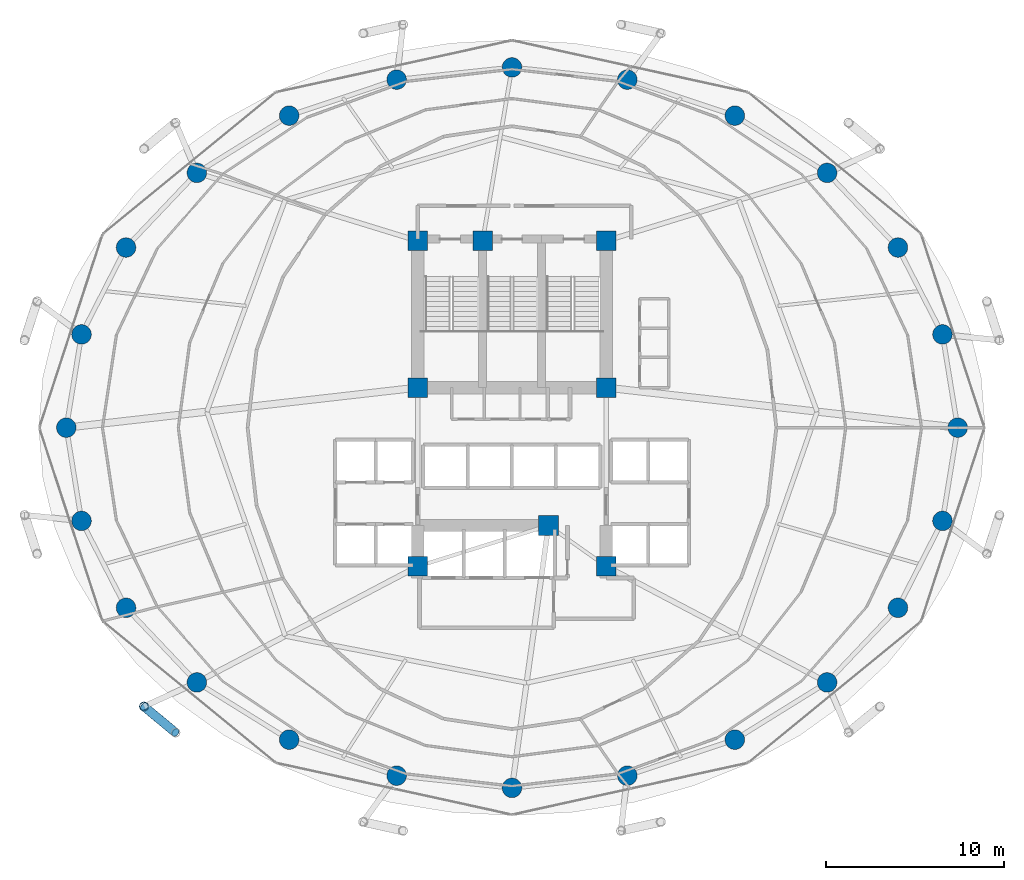
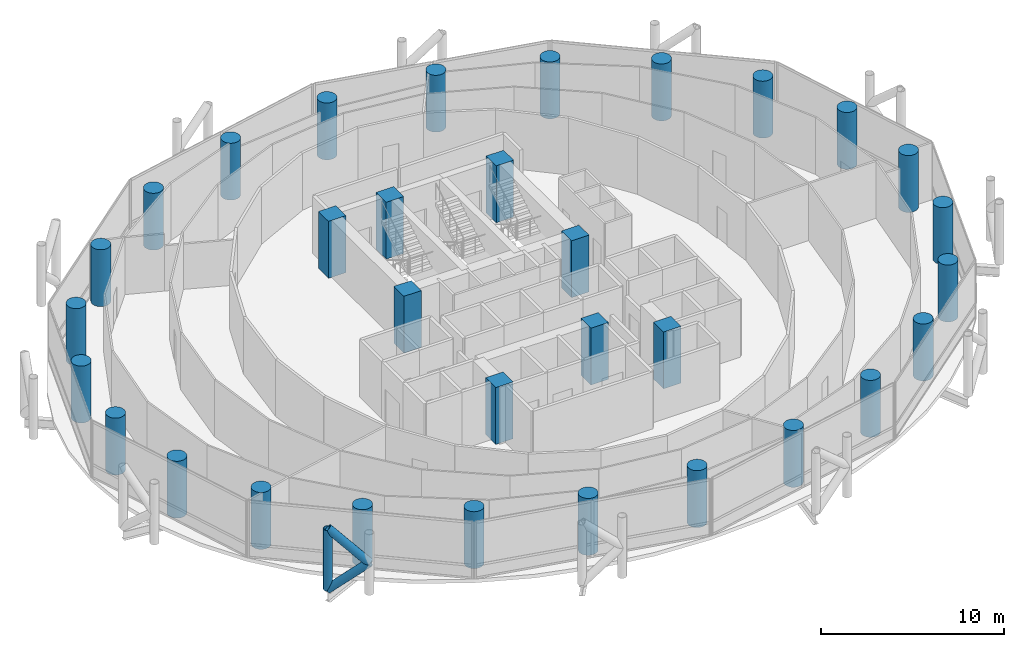
# One storey, part 1 of 26: 32 columns, 3 members.
"""IFC4 building model written with IfcOpenShell, lengths in metres."""

import ifcopenshell
import ifcopenshell.guid

model = None  # the IFC model being written
_history = None  # IfcOwnerHistory: only IFC2X3 demands one
_inside = {}  # id of a spatial element -> (the spatial element, [elements in it])
_under = {}  # id of a project, library or spatial element -> (it, [spatial elements below it])
_declared = {}  # id of a project -> (the project, [libraries it declares])
_typed = {}  # id of a type object -> (the type object, [elements of that type])
_made_of = {}  # id of a material, layer set ... -> (it, [elements and type objects made of it])


def new_model(schema):
    """Start an empty IFC model of exactly this schema.

    Asked for "IFC4X3", IfcOpenShell would pick the latest addendum, in which some entities
    have other attributes; the version numbers below select the first issue.
    IFC2X3 requires an IfcOwnerHistory on every rooted entity: one is made here for all.
    """
    global model, _history
    if schema == "IFC4X3":
        model = ifcopenshell.file(schema_version=(4, 3, 0, 0))
    else:
        model = ifcopenshell.file(schema=schema)
    _inside.clear()
    _under.clear()
    _declared.clear()
    _typed.clear()
    _made_of.clear()
    _history = None
    if model.schema == "IFC2X3":
        org = make("IfcOrganization", Name="unknown")
        user = make(
            "IfcPersonAndOrganization",
            ThePerson=make("IfcPerson", FamilyName="unknown"),
            TheOrganization=org,
        )
        app = make(
            "IfcApplication",
            ApplicationDeveloper=org,
            Version="unknown",
            ApplicationFullName="unknown",
            ApplicationIdentifier="unknown",
        )
        _history = make(
            "IfcOwnerHistory",
            OwningUser=user,
            OwningApplication=app,
            ChangeAction="ADDED",
            CreationDate=0,
        )
    return model


def make(cls, **values):
    """One entity of the class cls with the attributes given. An attribute that is None is left unset."""
    return model.create_entity(
        cls, **{name: value for name, value in values.items() if value is not None}
    )


def rooted(cls, **values):
    """An entity with a GlobalId (a new one), such as an element, a storey or a relation."""
    return make(cls, GlobalId=ifcopenshell.guid.new(), OwnerHistory=_history, **values)


def si_unit(unit_type, name, prefix=None):
    """IfcSIUnit, for example si_unit("LENGTHUNIT", "METRE", prefix="MILLI")."""
    return make("IfcSIUnit", UnitType=unit_type, Prefix=prefix, Name=name)


def assignment(units):
    """IfcUnitAssignment: the units of a project."""
    return None if units is None else make("IfcUnitAssignment", Units=units)


def point(xyz):
    """IfcCartesianPoint."""
    return None if xyz is None else make("IfcCartesianPoint", Coordinates=xyz)


def direction(xyz):
    """IfcDirection."""
    return None if xyz is None else make("IfcDirection", DirectionRatios=xyz)


def frame(location, z_axis=None, x_axis=None):
    """IfcAxis2Placement3D, a coordinate frame: its origin and axes. An axis left out is left unset."""
    return make(
        "IfcAxis2Placement3D",
        Location=point(location),
        Axis=direction(z_axis),
        RefDirection=direction(x_axis),
    )


def frame_2d(location, x_axis=None):
    """IfcAxis2Placement2D, a coordinate frame in the plane: its origin and x axis."""
    return make(
        "IfcAxis2Placement2D", Location=point(location), RefDirection=direction(x_axis)
    )


def origin():
    """The frame at (0, 0, 0) with its axes left unset."""
    return frame((0.0, 0.0, 0.0))


def origin_2d():
    """The frame at (0, 0) in the plane with its x axis left unset."""
    return frame_2d((0.0, 0.0))


def place(relative_to, where):
    """IfcLocalPlacement: puts the frame where relative to a parent placement (None: the world)."""
    return make(
        "IfcLocalPlacement", PlacementRelTo=relative_to, RelativePlacement=where
    )


def context(
    kind, dimensions, precision=None, world=None, true_north=None, identifier=None
):
    """IfcGeometricRepresentationContext, for example the 3D "Model" context."""
    return make(
        "IfcGeometricRepresentationContext",
        ContextIdentifier=identifier,
        ContextType=kind,
        CoordinateSpaceDimension=dimensions,
        Precision=precision,
        WorldCoordinateSystem=world,
        TrueNorth=true_north,
    )


def subcontext(parent, identifier, kind, view, scale=None):
    """IfcGeometricRepresentationSubContext, for example "Body" below "Model"."""
    return make(
        "IfcGeometricRepresentationSubContext",
        ContextIdentifier=identifier,
        ContextType=kind,
        ParentContext=parent,
        TargetScale=scale,
        TargetView=view,
    )


def project(units=None, contexts=None):
    """IfcProject with its units and contexts."""
    return rooted(
        "IfcProject",
        Name="project",
        RepresentationContexts=contexts,
        UnitsInContext=assignment(units),
    )


def spatial(cls, under=None, at=None, **own):
    """A site, building, storey or space (cls), placed at a placement, below another one or the project."""
    s = rooted(cls, ObjectPlacement=at, **own)
    if under is not None:
        _under.setdefault(under.id(), (under, []))[1].append(s)
    return s


def profile(cls, at=None, kind="AREA", **sizes):
    """A parametric profile (cls). Its sizes go by their IFC names, for example OverallWidth=200.0."""
    return make(cls, ProfileType=kind, Position=at, **sizes)


def rectangle(**sizes):
    """IfcRectangleProfileDef."""
    return profile("IfcRectangleProfileDef", **sizes)


def circle(**sizes):
    """IfcCircleProfileDef."""
    return profile("IfcCircleProfileDef", **sizes)


def hollow_circle(**sizes):
    """IfcCircleHollowProfileDef."""
    return profile("IfcCircleHollowProfileDef", **sizes)


def extrude(swept, where, along, depth):
    """IfcExtrudedAreaSolid: the profile swept, set in the frame where, extruded along a direction by depth."""
    return make(
        "IfcExtrudedAreaSolid",
        SweptArea=swept,
        Position=where,
        ExtrudedDirection=direction(along),
        Depth=depth,
    )


def shape(context_of_items, identifier, shape_type, items):
    """IfcShapeRepresentation: the items that make up one representation, for example the "Body"."""
    return make(
        "IfcShapeRepresentation",
        ContextOfItems=context_of_items,
        RepresentationIdentifier=identifier,
        RepresentationType=shape_type,
        Items=items,
    )


def material(Name=None, Category=None):
    """IfcMaterial."""
    return make("IfcMaterial", Name=Name, Category=Category)


def material_profile(
    of_material, cross_section, Name=None, Category=None, Priority=None
):
    """IfcMaterialProfile: a cross section and its material."""
    return make(
        "IfcMaterialProfile",
        Name=Name,
        Material=of_material,
        Profile=cross_section,
        Priority=Priority,
        Category=Category,
    )


def profile_set(profiles, Name=None, composite=None):
    """IfcMaterialProfileSet."""
    return make(
        "IfcMaterialProfileSet",
        Name=Name,
        MaterialProfiles=profiles,
        CompositeProfile=composite,
    )


def made_of(thing, what):
    """Note that an element or type object is made of a material, layer set ...; save() writes the relation."""
    if what is not None:
        _made_of.setdefault(what.id(), (what, []))[1].append(thing)
    return thing


def type_object(cls, material=None, **own):
    """A type object (cls), such as IfcWallType, which elements share."""
    return made_of(rooted(cls, **own), material)


def element(
    cls,
    number,
    at=None,
    inside=None,
    cuts=None,
    type_object=None,
    material=None,
    context=None,
    identifier="Body",
    shape_type=None,
    held_by="IfcProductDefinitionShape",
    body=None,
    shapes=None,
    **own,
):
    """One element of the class cls, such as IfcWall. Its Tag is "e" and its number.

    at: its placement. inside: the storey or other place that contains it. cuts: it is an
    opening in that element (IfcRelVoidsElement). A single representation is given by context,
    identifier, shape_type and body (its items); several are given by shapes. held_by: the class
    of the entity that holds the representations. save() writes the other relations.
    """
    e = rooted(cls, Tag="e%d" % number, ObjectPlacement=at, **own)
    if body is not None:
        shapes = [shape(context, identifier, shape_type, body)]
    if shapes is not None:
        e.Representation = make(held_by, Representations=shapes)
    if inside is not None:
        _inside.setdefault(inside.id(), (inside, []))[1].append(e)
    if cuts is not None:
        rooted(
            "IfcRelVoidsElement", RelatingBuildingElement=cuts, RelatedOpeningElement=e
        )
    if type_object is not None:
        _typed.setdefault(type_object.id(), (type_object, []))[1].append(e)
    return made_of(e, material)


def aggregate(whole, parts):
    """IfcRelAggregates: a whole, such as a stair, and the parts it consists of."""
    return rooted("IfcRelAggregates", RelatingObject=whole, RelatedObjects=parts)


def save(model, path):
    """Write the relations noted so far, then the file.

    IfcRelAggregates (storeys below a building ...), IfcRelContainedInSpatialStructure (elements
    in a storey), IfcRelDefinesByType, IfcRelAssociatesMaterial and IfcRelDeclares: one each for
    every whole, place, type object, material and project.
    """
    for whole, parts in _under.values():
        aggregate(whole, parts)
    for where, things in _inside.values():
        rooted(
            "IfcRelContainedInSpatialStructure",
            RelatedElements=things,
            RelatingStructure=where,
        )
    for kind, things in _typed.values():
        rooted("IfcRelDefinesByType", RelatedObjects=things, RelatingType=kind)
    for what, things in _made_of.values():
        rooted("IfcRelAssociatesMaterial", RelatedObjects=things, RelatingMaterial=what)
    for by, libraries in _declared.values():
        rooted("IfcRelDeclares", RelatingContext=by, RelatedDefinitions=libraries)
    model.write(path)


model = new_model("IFC4")

# Units and contexts
model_context = context("Model", 3, precision=1e-05, world=origin(), true_north=direction((0.0, 1.0)))
body_context = subcontext(model_context, "Body", "Model", "MODEL_VIEW")
ifc_project = project(units=[si_unit("LENGTHUNIT", "METRE"), si_unit("AREAUNIT", "SQUARE_METRE"), si_unit("VOLUMEUNIT", "CUBIC_METRE"), si_unit("PLANEANGLEUNIT", "RADIAN"), si_unit("MASSUNIT", "GRAM", prefix="KILO")], contexts=[model_context])

# Site, building, storey
site_placement = place(None, origin())
site = spatial("IfcSite", under=ifc_project, at=site_placement, CompositionType="ELEMENT")
building_placement = place(site_placement, origin())
building = spatial("IfcBuilding", under=site, at=building_placement, Name="Nuhasar Tower", CompositionType="ELEMENT")
storey_placement = place(building_placement, frame((0.0, 0.0, 93.89990234375)))
storey = spatial("IfcBuildingStorey", under=building, at=storey_placement, Name="L22", CompositionType="ELEMENT", Elevation=93.89990234375)

# Columns
ifc_material_1 = material(Name="Concrete C80/95", Category="concrete")
ifc_material_profile_1 = material_profile(ifc_material_1, circle(Radius=0.550048828125, at=origin_2d()), Name="CFT1100")
ifc_profile_set_1 = profile_set([ifc_material_profile_1], Name="Concrete C80/95")
column_type_1 = type_object("IfcColumnType", Name="COL-CFT-1100", PredefinedType="COLUMN", material=ifc_profile_set_1)
for number, where, z_axis, x_axis, name in (
    (1, (64.050048828125, 26.800048828125, 0.0), (0.0, 0.0, 1.0), (1.0, 0.0, 0.0), "L22 Perimeter Composite Column TC-01"),
    (2, (63.196044921875, 32.041015625, 0.0), (0.0, 0.0, 1.0), (1.0, 0.0, 0.0), "L22 Perimeter Composite Column TC-02"),
    (3, (60.694091796875, 36.925048828125, 0.0), (0.0, 0.0, 1.0), (1.0, 0.0, 0.0), "L22 Perimeter Composite Column TC-03"),
    (4, (56.712890625, 41.118896484375, 0.0), (0.0, 0.0, 1.0), (1.0, 0.0, 0.0), "L22 Perimeter Composite Column TC-04"),
    (5, (51.52490234375, 44.3369140625, 0.0), (0.0, 0.0, 1.0), (1.0, 0.0, 0.0), "L22 Perimeter Composite Column TC-05"),
    (6, (45.48291015625, 46.360107421875, 0.0), (0.0, 0.0, 1.0), (1.0, 0.0, 0.0), "L22 Perimeter Composite Column TC-06"),
    (7, (39.0, 47.050048828125, 0.0), (0.0, 0.0, 1.0), (1.0, 0.0, 0.0), "L22 Perimeter Composite Column TC-07"),
    (8, (32.51708984375, 46.360107421875, 0.0), (0.0, 0.0, 1.0), (1.0, 0.0, 0.0), "L22 Perimeter Composite Column TC-08"),
    (9, (26.47509765625, 44.3369140625, 0.0), (0.0, 0.0, 1.0), (1.0, 0.0, 0.0), "L22 Perimeter Composite Column TC-09"),
    (10, (21.287109375, 41.118896484375, 0.0), (0.0, 0.0, 1.0), (1.0, 0.0, 0.0), "L22 Perimeter Composite Column TC-10"),
    (11, (17.305908203125, 36.925048828125, 0.0), (0.0, 0.0, 1.0), (1.0, 0.0, 0.0), "L22 Perimeter Composite Column TC-11"),
    (12, (14.803955078125, 32.041015625, 0.0), (0.0, 0.0, 1.0), (1.0, 0.0, 0.0), "L22 Perimeter Composite Column TC-12"),
    (13, (13.949951171875, 26.800048828125, 0.0), (0.0, 0.0, 1.0), (1.0, 0.0, 0.0), "L22 Perimeter Composite Column TC-13"),
    (14, (14.803955078125, 21.55908203125, 0.0), (0.0, 0.0, 1.0), (1.0, 0.0, 0.0), "L22 Perimeter Composite Column TC-14"),
    (15, (17.305908203125, 16.675048828125, 0.0), (0.0, 0.0, 1.0), (1.0, 0.0, 0.0), "L22 Perimeter Composite Column TC-15"),
    (16, (21.287109375, 12.48095703125, 0.0), (0.0, 0.0, 1.0), (1.0, 0.0, 0.0), "L22 Perimeter Composite Column TC-16"),
    (17, (26.47509765625, 9.262939453125, 0.0), (0.0, 0.0, 1.0), (1.0, 0.0, 0.0), "L22 Perimeter Composite Column TC-17"),
    (18, (32.51708984375, 7.239990234375, 0.0), (0.0, 0.0, 1.0), (1.0, 0.0, 0.0), "L22 Perimeter Composite Column TC-18"),
    (19, (39.0, 6.550048828125, 0.0), (0.0, 0.0, 1.0), (1.0, 0.0, 0.0), "L22 Perimeter Composite Column TC-19"),
    (20, (45.48291015625, 7.239990234375, 0.0), (0.0, 0.0, 1.0), (1.0, 0.0, 0.0), "L22 Perimeter Composite Column TC-20"),
    (21, (51.52490234375, 9.262939453125, 0.0), (0.0, 0.0, 1.0), (1.0, 0.0, 0.0), "L22 Perimeter Composite Column TC-21"),
    (22, (56.712890625, 12.48095703125, 0.0), (0.0, 0.0, 1.0), (1.0, 0.0, 0.0), "L22 Perimeter Composite Column TC-22"),
    (23, (60.694091796875, 16.675048828125, 0.0), (0.0, 0.0, 1.0), (1.0, 0.0, 0.0), "L22 Perimeter Composite Column TC-23"),
    (24, (63.196044921875, 21.55908203125, 0.0), (0.0, 0.0, 1.0), (1.0, 0.0, 0.0), "L22 Perimeter Composite Column TC-24"),
):
    element("IfcColumn", number, at=place(storey_placement, frame(where, z_axis=z_axis, x_axis=x_axis)), inside=storey, type_object=column_type_1, Name=name, PredefinedType="COLUMN", context=body_context, shape_type="SweptSolid", body=[
        extrude(circle(Radius=0.550048828125, at=origin_2d()), origin(), (0.0, 0.0, 1.0), 3.800048828125),
    ])
ifc_material_profile_2 = material_profile(ifc_material_1, rectangle(XDim=1.10009765625, YDim=1.10009765625, at=origin_2d()), Name="RC1100X1100")
ifc_profile_set_2 = profile_set([ifc_material_profile_2], Name="Concrete C80/95")
column_type_2 = type_object("IfcColumnType", Name="PIL-RC-1100", PredefinedType="PILASTER", material=ifc_profile_set_2)
for number, where, z_axis, x_axis, name in (
    (25, (33.699951171875, 19.0, 0.0), (0.0, 0.0, 1.0), (1.0, 0.0, 0.0), "L22 Core Boundary Pilaster CC-01"),
    (26, (41.050048828125, 21.300048828125, 0.0), (0.0, 0.0, 1.0), (1.0, 0.0, 0.0), "L22 Core Boundary Pilaster CC-02"),
    (27, (44.300048828125, 19.0, 0.0), (0.0, 0.0, 1.0), (1.0, 0.0, 0.0), "L22 Core Boundary Pilaster CC-03"),
    (28, (44.300048828125, 29.050048828125, 0.0), (0.0, 0.0, 1.0), (1.0, 0.0, 0.0), "L22 Core Boundary Pilaster CC-04"),
    (29, (44.300048828125, 37.300048828125, 0.0), (0.0, 0.0, 1.0), (1.0, 0.0, 0.0), "L22 Core Boundary Pilaster CC-05"),
    (30, (37.35009765625, 37.300048828125, 0.0), (0.0, 0.0, 1.0), (1.0, 0.0, 0.0), "L22 Core Boundary Pilaster CC-06"),
    (31, (33.699951171875, 37.300048828125, 0.0), (0.0, 0.0, 1.0), (1.0, 0.0, 0.0), "L22 Core Boundary Pilaster CC-07"),
    (32, (33.699951171875, 29.050048828125, 0.0), (0.0, 0.0, 1.0), (1.0, 0.0, 0.0), "L22 Core Boundary Pilaster CC-08"),
):
    element("IfcColumn", number, at=place(storey_placement, frame(where, z_axis=z_axis, x_axis=x_axis)), inside=storey, type_object=column_type_2, Name=name, PredefinedType="PILASTER", context=body_context, shape_type="SweptSolid", body=[
        extrude(rectangle(XDim=1.10009765625, YDim=1.10009765625, at=origin_2d()), origin(), (0.0, 0.0, 1.0), 3.800048828125),
    ])

# Members
ifc_material_2 = material(Name="Steel S460", Category="steel")
ifc_material_profile_3 = material_profile(ifc_material_2, hollow_circle(Radius=0.25390625, WallThickness=0.025390625, at=origin_2d()), Name="HSS508X25.4")
ifc_profile_set_3 = profile_set([ifc_material_profile_3], Name="Steel S460")
member_type = type_object("IfcMemberType", Name="EXO-BRONZE-508", PredefinedType="BRACE", material=ifc_profile_set_3)
member_1_placement = place(storey_placement, frame((18.31494140625, 11.12890625, 0.0), z_axis=(0.0, 0.0, 1.0), x_axis=(1.0, 0.0, 0.0)))
element("IfcMember", 33, at=member_1_placement, inside=storey, type_object=member_type, Name="L22 Exoskeleton Chord Column EC-08A", PredefinedType="BRACE", context=body_context, shape_type="SweptSolid", body=[
    extrude(hollow_circle(Radius=0.25390625, WallThickness=0.025390625, at=origin_2d()), origin(), (0.0, 0.0, 1.0), 4.050048828125),
])
member_2_placement = place(storey_placement, frame((18.31494140625, 11.12890625, 0.0), z_axis=(0.578071194894, -0.478911834514, 0.660664172175), x_axis=(0.637969333506, 0.770061769929, 0.0)))
element("IfcMember", 34, at=member_2_placement, inside=storey, type_object=member_type, Name="L22 Bronze Diagrid Brace W1-08", PredefinedType="BRACE", context=body_context, shape_type="SweptSolid", body=[
    extrude(hollow_circle(Radius=0.25390625, WallThickness=0.025390625, at=origin_2d()), origin(), (0.0, 0.0, 1.0), 3.0654296875),
])
member_3_placement = place(storey_placement, frame((20.0869140625, 9.660888671875, 2.025146484375), z_axis=(-0.578101613167, 0.478937034992, 0.660619286251), x_axis=(-0.637969333506, -0.770061769929, 0.0)))
element("IfcMember", 35, at=member_3_placement, inside=storey, type_object=member_type, Name="L22 Bronze Diagrid Brace W2-08", PredefinedType="BRACE", context=body_context, shape_type="SweptSolid", body=[
    extrude(hollow_circle(Radius=0.25390625, WallThickness=0.025390625, at=origin_2d()), origin(), (0.0, 0.0, 1.0), 3.065185546875),
])

save(model, "model.ifc")
